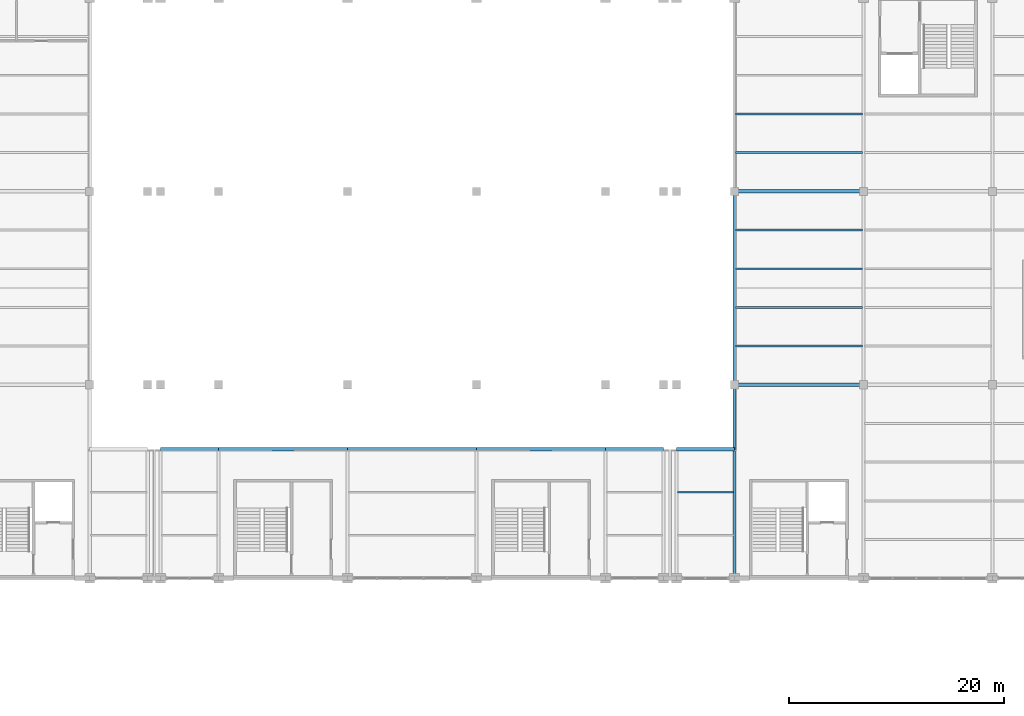
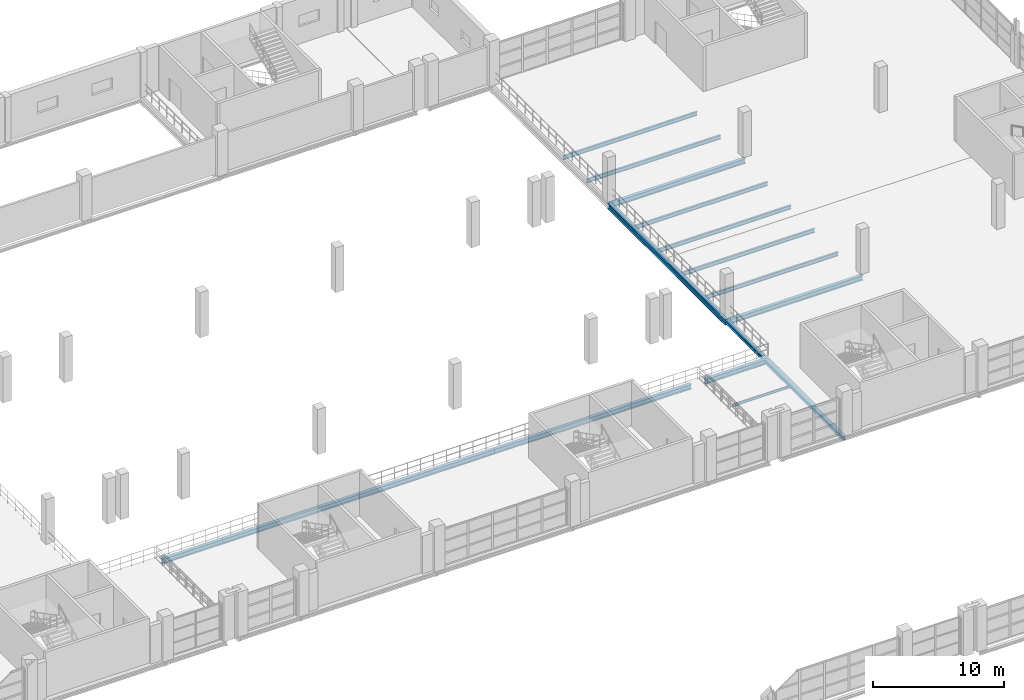
# One storey, part 102 of 158: 18 beams.
"""IFC4 building model written with IfcOpenShell, lengths in metres."""

import ifcopenshell
import ifcopenshell.guid

model = None  # the IFC model being written
_history = None  # IfcOwnerHistory: only IFC2X3 demands one
_inside = {}  # id of a spatial element -> (the spatial element, [elements in it])
_under = {}  # id of a project, library or spatial element -> (it, [spatial elements below it])
_declared = {}  # id of a project -> (the project, [libraries it declares])
_typed = {}  # id of a type object -> (the type object, [elements of that type])
_made_of = {}  # id of a material, layer set ... -> (it, [elements and type objects made of it])


def new_model(schema):
    """Start an empty IFC model of exactly this schema.

    Asked for "IFC4X3", IfcOpenShell would pick the latest addendum, in which some entities
    have other attributes; the version numbers below select the first issue.
    IFC2X3 requires an IfcOwnerHistory on every rooted entity: one is made here for all.
    """
    global model, _history
    if schema == "IFC4X3":
        model = ifcopenshell.file(schema_version=(4, 3, 0, 0))
    else:
        model = ifcopenshell.file(schema=schema)
    _inside.clear()
    _under.clear()
    _declared.clear()
    _typed.clear()
    _made_of.clear()
    _history = None
    if model.schema == "IFC2X3":
        org = make("IfcOrganization", Name="unknown")
        user = make(
            "IfcPersonAndOrganization",
            ThePerson=make("IfcPerson", FamilyName="unknown"),
            TheOrganization=org,
        )
        app = make(
            "IfcApplication",
            ApplicationDeveloper=org,
            Version="unknown",
            ApplicationFullName="unknown",
            ApplicationIdentifier="unknown",
        )
        _history = make(
            "IfcOwnerHistory",
            OwningUser=user,
            OwningApplication=app,
            ChangeAction="ADDED",
            CreationDate=0,
        )
    return model


def make(cls, **values):
    """One entity of the class cls with the attributes given. An attribute that is None is left unset."""
    return model.create_entity(
        cls, **{name: value for name, value in values.items() if value is not None}
    )


def rooted(cls, **values):
    """An entity with a GlobalId (a new one), such as an element, a storey or a relation."""
    return make(cls, GlobalId=ifcopenshell.guid.new(), OwnerHistory=_history, **values)


def si_unit(unit_type, name, prefix=None):
    """IfcSIUnit, for example si_unit("LENGTHUNIT", "METRE", prefix="MILLI")."""
    return make("IfcSIUnit", UnitType=unit_type, Prefix=prefix, Name=name)


def assignment(units):
    """IfcUnitAssignment: the units of a project."""
    return None if units is None else make("IfcUnitAssignment", Units=units)


def point(xyz):
    """IfcCartesianPoint."""
    return None if xyz is None else make("IfcCartesianPoint", Coordinates=xyz)


def direction(xyz):
    """IfcDirection."""
    return None if xyz is None else make("IfcDirection", DirectionRatios=xyz)


def frame(location, z_axis=None, x_axis=None):
    """IfcAxis2Placement3D, a coordinate frame: its origin and axes. An axis left out is left unset."""
    return make(
        "IfcAxis2Placement3D",
        Location=point(location),
        Axis=direction(z_axis),
        RefDirection=direction(x_axis),
    )


def frame_2d(location, x_axis=None):
    """IfcAxis2Placement2D, a coordinate frame in the plane: its origin and x axis."""
    return make(
        "IfcAxis2Placement2D", Location=point(location), RefDirection=direction(x_axis)
    )


def origin():
    """The frame at (0, 0, 0) with its axes left unset."""
    return frame((0.0, 0.0, 0.0))


def origin_2d():
    """The frame at (0, 0) in the plane with its x axis left unset."""
    return frame_2d((0.0, 0.0))


def place(relative_to, where):
    """IfcLocalPlacement: puts the frame where relative to a parent placement (None: the world)."""
    return make(
        "IfcLocalPlacement", PlacementRelTo=relative_to, RelativePlacement=where
    )


def context(
    kind, dimensions, precision=None, world=None, true_north=None, identifier=None
):
    """IfcGeometricRepresentationContext, for example the 3D "Model" context."""
    return make(
        "IfcGeometricRepresentationContext",
        ContextIdentifier=identifier,
        ContextType=kind,
        CoordinateSpaceDimension=dimensions,
        Precision=precision,
        WorldCoordinateSystem=world,
        TrueNorth=true_north,
    )


def subcontext(parent, identifier, kind, view, scale=None):
    """IfcGeometricRepresentationSubContext, for example "Body" below "Model"."""
    return make(
        "IfcGeometricRepresentationSubContext",
        ContextIdentifier=identifier,
        ContextType=kind,
        ParentContext=parent,
        TargetScale=scale,
        TargetView=view,
    )


def project(units=None, contexts=None):
    """IfcProject with its units and contexts."""
    return rooted(
        "IfcProject",
        Name="project",
        RepresentationContexts=contexts,
        UnitsInContext=assignment(units),
    )


def spatial(cls, under=None, at=None, **own):
    """A site, building, storey or space (cls), placed at a placement, below another one or the project."""
    s = rooted(cls, ObjectPlacement=at, **own)
    if under is not None:
        _under.setdefault(under.id(), (under, []))[1].append(s)
    return s


def profile(cls, at=None, kind="AREA", **sizes):
    """A parametric profile (cls). Its sizes go by their IFC names, for example OverallWidth=200.0."""
    return make(cls, ProfileType=kind, Position=at, **sizes)


def i_section(**sizes):
    """IfcIShapeProfileDef."""
    return profile("IfcIShapeProfileDef", **sizes)


def extrude(swept, where, along, depth):
    """IfcExtrudedAreaSolid: the profile swept, set in the frame where, extruded along a direction by depth."""
    return make(
        "IfcExtrudedAreaSolid",
        SweptArea=swept,
        Position=where,
        ExtrudedDirection=direction(along),
        Depth=depth,
    )


def shape(context_of_items, identifier, shape_type, items):
    """IfcShapeRepresentation: the items that make up one representation, for example the "Body"."""
    return make(
        "IfcShapeRepresentation",
        ContextOfItems=context_of_items,
        RepresentationIdentifier=identifier,
        RepresentationType=shape_type,
        Items=items,
    )


def material(Name=None, Category=None):
    """IfcMaterial."""
    return make("IfcMaterial", Name=Name, Category=Category)


def material_profile(
    of_material, cross_section, Name=None, Category=None, Priority=None
):
    """IfcMaterialProfile: a cross section and its material."""
    return make(
        "IfcMaterialProfile",
        Name=Name,
        Material=of_material,
        Profile=cross_section,
        Priority=Priority,
        Category=Category,
    )


def profile_set(profiles, Name=None, composite=None):
    """IfcMaterialProfileSet."""
    return make(
        "IfcMaterialProfileSet",
        Name=Name,
        MaterialProfiles=profiles,
        CompositeProfile=composite,
    )


def made_of(thing, what):
    """Note that an element or type object is made of a material, layer set ...; save() writes the relation."""
    if what is not None:
        _made_of.setdefault(what.id(), (what, []))[1].append(thing)
    return thing


def type_object(cls, material=None, **own):
    """A type object (cls), such as IfcWallType, which elements share."""
    return made_of(rooted(cls, **own), material)


def element(
    cls,
    number,
    at=None,
    inside=None,
    cuts=None,
    type_object=None,
    material=None,
    context=None,
    identifier="Body",
    shape_type=None,
    held_by="IfcProductDefinitionShape",
    body=None,
    shapes=None,
    **own,
):
    """One element of the class cls, such as IfcWall. Its Tag is "e" and its number.

    at: its placement. inside: the storey or other place that contains it. cuts: it is an
    opening in that element (IfcRelVoidsElement). A single representation is given by context,
    identifier, shape_type and body (its items); several are given by shapes. held_by: the class
    of the entity that holds the representations. save() writes the other relations.
    """
    e = rooted(cls, Tag="e%d" % number, ObjectPlacement=at, **own)
    if body is not None:
        shapes = [shape(context, identifier, shape_type, body)]
    if shapes is not None:
        e.Representation = make(held_by, Representations=shapes)
    if inside is not None:
        _inside.setdefault(inside.id(), (inside, []))[1].append(e)
    if cuts is not None:
        rooted(
            "IfcRelVoidsElement", RelatingBuildingElement=cuts, RelatedOpeningElement=e
        )
    if type_object is not None:
        _typed.setdefault(type_object.id(), (type_object, []))[1].append(e)
    return made_of(e, material)


def aggregate(whole, parts):
    """IfcRelAggregates: a whole, such as a stair, and the parts it consists of."""
    return rooted("IfcRelAggregates", RelatingObject=whole, RelatedObjects=parts)


def save(model, path):
    """Write the relations noted so far, then the file.

    IfcRelAggregates (storeys below a building ...), IfcRelContainedInSpatialStructure (elements
    in a storey), IfcRelDefinesByType, IfcRelAssociatesMaterial and IfcRelDeclares: one each for
    every whole, place, type object, material and project.
    """
    for whole, parts in _under.values():
        aggregate(whole, parts)
    for where, things in _inside.values():
        rooted(
            "IfcRelContainedInSpatialStructure",
            RelatedElements=things,
            RelatingStructure=where,
        )
    for kind, things in _typed.values():
        rooted("IfcRelDefinesByType", RelatedObjects=things, RelatingType=kind)
    for what, things in _made_of.values():
        rooted("IfcRelAssociatesMaterial", RelatedObjects=things, RelatingMaterial=what)
    for by, libraries in _declared.values():
        rooted("IfcRelDeclares", RelatingContext=by, RelatedDefinitions=libraries)
    model.write(path)


model = new_model("IFC4")

# Units and contexts
model_context = context("Model", 3, precision=1e-05, world=origin(), true_north=direction((0.0, 1.0)))
body_context = subcontext(model_context, "Body", "Model", "MODEL_VIEW")
ifc_project = project(units=[si_unit("LENGTHUNIT", "METRE"), si_unit("AREAUNIT", "SQUARE_METRE"), si_unit("VOLUMEUNIT", "CUBIC_METRE"), si_unit("PLANEANGLEUNIT", "RADIAN"), si_unit("MASSUNIT", "GRAM", prefix="KILO")], contexts=[model_context])

# Site, building, storey
site_placement = place(None, origin())
site = spatial("IfcSite", under=ifc_project, at=site_placement, CompositionType="ELEMENT")
building_placement = place(site_placement, origin())
building = spatial("IfcBuilding", under=site, at=building_placement, Name="Zilviju Railside Exhibition Hall", CompositionType="ELEMENT")
storey_placement = place(building_placement, frame((0.0, 0.0, 4.199951171875)))
storey = spatial("IfcBuildingStorey", under=building, at=storey_placement, Name="L02", CompositionType="ELEMENT", Elevation=4.199951171875)

# Beams
ifc_material = material(Name="Steel S355J2", Category="steel")
ifc_material_profile_1 = material_profile(ifc_material, i_section(OverallWidth=0.300048828125, OverallDepth=0.2900390625, WebThickness=0.008544921875, FlangeThickness=0.013916015625, at=origin_2d()), Name="HEA 300")
ifc_profile_set_1 = profile_set([ifc_material_profile_1], Name="Steel S355J2")
beam_type_1 = type_object("IfcBeamType", Name="BM-HEA300", PredefinedType="SPANDREL", material=ifc_profile_set_1)
beam_1_placement = place(storey_placement, frame((180.0, 96.0, -0.474853515625), z_axis=(0.0, 1.0, 0.0), x_axis=(-1.0, 0.0, 0.0)))
element("IfcBeam", 1, at=beam_1_placement, inside=storey, type_object=beam_type_1, Name="Transverse Girder L02 X=180.0 (96.0..102.0)", PredefinedType="SPANDREL", context=body_context, shape_type="SweptSolid", body=[
    extrude(i_section(OverallWidth=0.300048828125, OverallDepth=0.2900390625, WebThickness=0.008544921875, FlangeThickness=0.013916015625, at=origin_2d()), origin(), (0.0, 0.0, 1.0), 6.0),
])
ifc_material_profile_2 = material_profile(ifc_material, i_section(OverallWidth=0.300048828125, OverallDepth=0.35009765625, WebThickness=0.010009765625, FlangeThickness=0.017578125, at=origin_2d()), Name="HEA 360")
ifc_profile_set_2 = profile_set([ifc_material_profile_2], Name="Steel S355J2")
beam_type_2 = type_object("IfcBeamType", Name="BM-HEA360", PredefinedType="BEAM", material=ifc_profile_set_2)
beam_2_placement = place(storey_placement, frame((180.0, 84.0, -0.5048828125), z_axis=(0.0, 1.0, 0.0), x_axis=(-1.0, 0.0, 0.0)))
element("IfcBeam", 2, at=beam_2_placement, inside=storey, type_object=beam_type_2, Name="Transverse Girder L02 X=180.0 (84.0..96.0)", PredefinedType="BEAM", context=body_context, shape_type="SweptSolid", body=[
    extrude(i_section(OverallWidth=0.300048828125, OverallDepth=0.35009765625, WebThickness=0.010009765625, FlangeThickness=0.017578125, at=origin_2d()), origin(), (0.0, 0.0, 1.0), 12.0),
])
ifc_material_profile_3 = material_profile(ifc_material, i_section(OverallWidth=0.300048828125, OverallDepth=0.449951171875, WebThickness=0.013916015625, FlangeThickness=0.02587890625, at=origin_2d()), Name="HEB 450")
ifc_profile_set_3 = profile_set([ifc_material_profile_3], Name="Steel S355J2")
beam_type_3 = type_object("IfcBeamType", Name="BM-HEB450", PredefinedType="BEAM", material=ifc_profile_set_3)
beam_3_placement = place(storey_placement, frame((126.60009765625, 96.0, -0.554931640625), z_axis=(1.0, 0.0, 0.0), x_axis=(0.0, 1.0, 0.0)))
element("IfcBeam", 3, at=beam_3_placement, inside=storey, type_object=beam_type_3, Name="Primary Girder L02 Y=96.0 (126.6..132.0)", PredefinedType="BEAM", context=body_context, shape_type="SweptSolid", body=[
    extrude(i_section(OverallWidth=0.300048828125, OverallDepth=0.449951171875, WebThickness=0.013916015625, FlangeThickness=0.02587890625, at=origin_2d()), origin(), (0.0, 0.0, 1.0), 5.39990234375),
])
for number, where, z_axis, x_axis, name in (
    (4, (132.0, 96.0, -0.554931640625), (1.0, 0.0, 0.0), (0.0, 1.0, 0.0), "Primary Girder L02 Y=96.0 (132.0..144.0)"),
    (5, (144.0, 96.0, -0.554931640625), (1.0, 0.0, 0.0), (0.0, 1.0, 0.0), "Primary Girder L02 Y=96.0 (144.0..156.0)"),
    (6, (156.0, 96.0, -0.554931640625), (1.0, 0.0, 0.0), (0.0, 1.0, 0.0), "Primary Girder L02 Y=96.0 (156.0..168.0)"),
):
    element("IfcBeam", number, at=place(storey_placement, frame(where, z_axis=z_axis, x_axis=x_axis)), inside=storey, type_object=beam_type_3, Name=name, PredefinedType="BEAM", context=body_context, shape_type="SweptSolid", body=[
        extrude(i_section(OverallWidth=0.300048828125, OverallDepth=0.449951171875, WebThickness=0.013916015625, FlangeThickness=0.02587890625, at=origin_2d()), origin(), (0.0, 0.0, 1.0), 12.0),
    ])
for number, where, z_axis, x_axis, name in (
    (7, (168.0, 96.0, -0.554931640625), (1.0, 0.0, 0.0), (0.0, 1.0, 0.0), "Primary Girder L02 Y=96.0 (168.0..173.4)"),
    (8, (174.60009765625, 96.0, -0.554931640625), (1.0, 0.0, 0.0), (0.0, 1.0, 0.0), "Primary Girder L02 Y=96.0 (174.6..180.0)"),
):
    element("IfcBeam", number, at=place(storey_placement, frame(where, z_axis=z_axis, x_axis=x_axis)), inside=storey, type_object=beam_type_3, Name=name, PredefinedType="BEAM", context=body_context, shape_type="SweptSolid", body=[
        extrude(i_section(OverallWidth=0.300048828125, OverallDepth=0.449951171875, WebThickness=0.013916015625, FlangeThickness=0.02587890625, at=origin_2d()), origin(), (0.0, 0.0, 1.0), 5.39990234375),
    ])
for number, where, z_axis, x_axis, name in (
    (9, (180.0, 102.0, -0.554931640625), (1.0, 0.0, 0.0), (0.0, 1.0, 0.0), "Primary Girder L02 Y=102.0 (180.0..192.0)"),
    (10, (180.0, 120.0, -0.554931640625), (1.0, 0.0, 0.0), (0.0, 1.0, 0.0), "Primary Girder L02 Y=120.0 (180.0..192.0)"),
):
    element("IfcBeam", number, at=place(storey_placement, frame(where, z_axis=z_axis, x_axis=x_axis)), inside=storey, type_object=beam_type_3, Name=name, PredefinedType="BEAM", context=body_context, shape_type="SweptSolid", body=[
        extrude(i_section(OverallWidth=0.300048828125, OverallDepth=0.449951171875, WebThickness=0.013916015625, FlangeThickness=0.02587890625, at=origin_2d()), origin(), (0.0, 0.0, 1.0), 12.0),
    ])
ifc_material_profile_4 = material_profile(ifc_material, i_section(OverallWidth=0.300048828125, OverallDepth=0.5, WebThickness=0.014404296875, FlangeThickness=0.028076171875, at=origin_2d()), Name="HEB 500")
ifc_profile_set_4 = profile_set([ifc_material_profile_4], Name="Steel S355J2")
beam_type_4 = type_object("IfcBeamType", Name="BM-HEB500", PredefinedType="BEAM", material=ifc_profile_set_4)
beam_4_placement = place(storey_placement, frame((180.0, 102.0, -0.579833984375), z_axis=(0.0, 1.0, 0.0), x_axis=(-1.0, 0.0, 0.0)))
element("IfcBeam", 11, at=beam_4_placement, inside=storey, type_object=beam_type_4, Name="Transverse Girder L02 X=180.0 (102.0..120.0)", PredefinedType="BEAM", context=body_context, shape_type="SweptSolid", body=[
    extrude(i_section(OverallWidth=0.300048828125, OverallDepth=0.5, WebThickness=0.014404296875, FlangeThickness=0.028076171875, at=origin_2d()), origin(), (0.0, 0.0, 1.0), 18.0),
])
ifc_material_profile_5 = material_profile(ifc_material, i_section(OverallWidth=0.1201171875, OverallDepth=0.239990234375, WebThickness=0.006103515625, FlangeThickness=0.009765625, at=origin_2d()), Name="IPE 240")
ifc_profile_set_5 = profile_set([ifc_material_profile_5], Name="Steel S355J2")
beam_type_5 = type_object("IfcBeamType", Name="BM-IPE240", PredefinedType="JOIST", material=ifc_profile_set_5)
beam_5_placement = place(storey_placement, frame((174.679931640625, 92.0, -0.449951171875), z_axis=(1.0, 0.0, 0.0), x_axis=(0.0, 1.0, 0.0)))
element("IfcBeam", 12, at=beam_5_placement, inside=storey, type_object=beam_type_5, Name="Composite Floor Joist L02 Y=92.00 (174.6..180.0)", PredefinedType="JOIST", context=body_context, shape_type="SweptSolid", body=[
    extrude(i_section(OverallWidth=0.1201171875, OverallDepth=0.239990234375, WebThickness=0.006103515625, FlangeThickness=0.009765625, at=origin_2d()), origin(), (0.0, 0.0, 1.0), 5.239990234375),
])
ifc_material_profile_6 = material_profile(ifc_material, i_section(OverallWidth=0.169921875, OverallDepth=0.360107421875, WebThickness=0.008056640625, FlangeThickness=0.0126953125, at=origin_2d()), Name="IPE 360")
ifc_profile_set_6 = profile_set([ifc_material_profile_6], Name="Steel S355J2")
beam_type_6 = type_object("IfcBeamType", Name="BM-IPE360", PredefinedType="JOIST", material=ifc_profile_set_6)
for number, where, z_axis, x_axis, name in (
    (13, (180.080078125, 105.60009765625, -0.510009765625), (1.0, 0.0, 0.0), (0.0, 1.0, 0.0), "Composite Floor Joist L02 Y=105.60 (180.0..192.0)"),
    (14, (180.080078125, 109.199951171875, -0.510009765625), (1.0, 0.0, 0.0), (0.0, 1.0, 0.0), "Composite Floor Joist L02 Y=109.20 (180.0..192.0)"),
    (15, (180.080078125, 112.800048828125, -0.510009765625), (1.0, 0.0, 0.0), (0.0, 1.0, 0.0), "Composite Floor Joist L02 Y=112.80 (180.0..192.0)"),
    (16, (180.080078125, 116.39990234375, -0.510009765625), (1.0, 0.0, 0.0), (0.0, 1.0, 0.0), "Composite Floor Joist L02 Y=116.40 (180.0..192.0)"),
    (17, (180.080078125, 123.60009765625, -0.510009765625), (1.0, 0.0, 0.0), (0.0, 1.0, 0.0), "Composite Floor Joist L02 Y=123.60 (180.0..192.0)"),
    (18, (180.080078125, 127.199951171875, -0.510009765625), (1.0, 0.0, 0.0), (0.0, 1.0, 0.0), "Composite Floor Joist L02 Y=127.20 (180.0..192.0)"),
):
    element("IfcBeam", number, at=place(storey_placement, frame(where, z_axis=z_axis, x_axis=x_axis)), inside=storey, type_object=beam_type_6, Name=name, PredefinedType="JOIST", context=body_context, shape_type="SweptSolid", body=[
        extrude(i_section(OverallWidth=0.169921875, OverallDepth=0.360107421875, WebThickness=0.008056640625, FlangeThickness=0.0126953125, at=origin_2d()), origin(), (0.0, 0.0, 1.0), 11.83984375),
    ])

save(model, "model.ifc")
